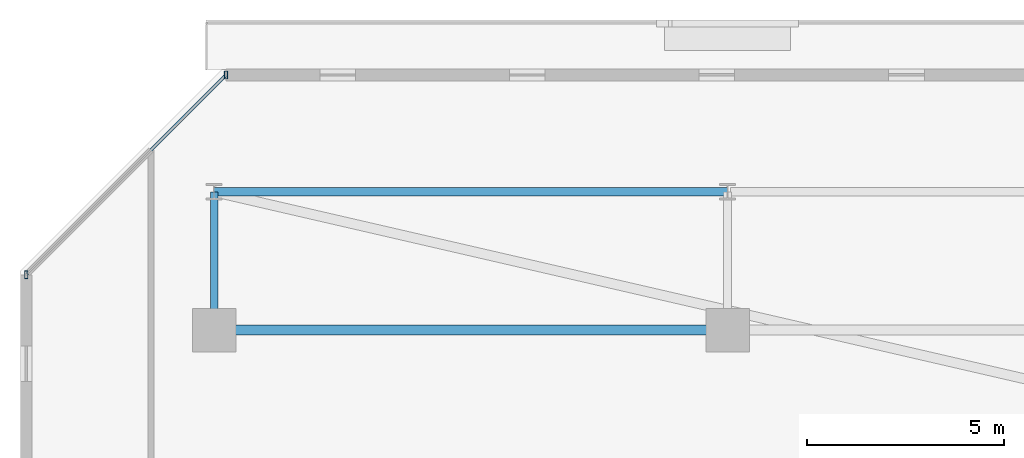
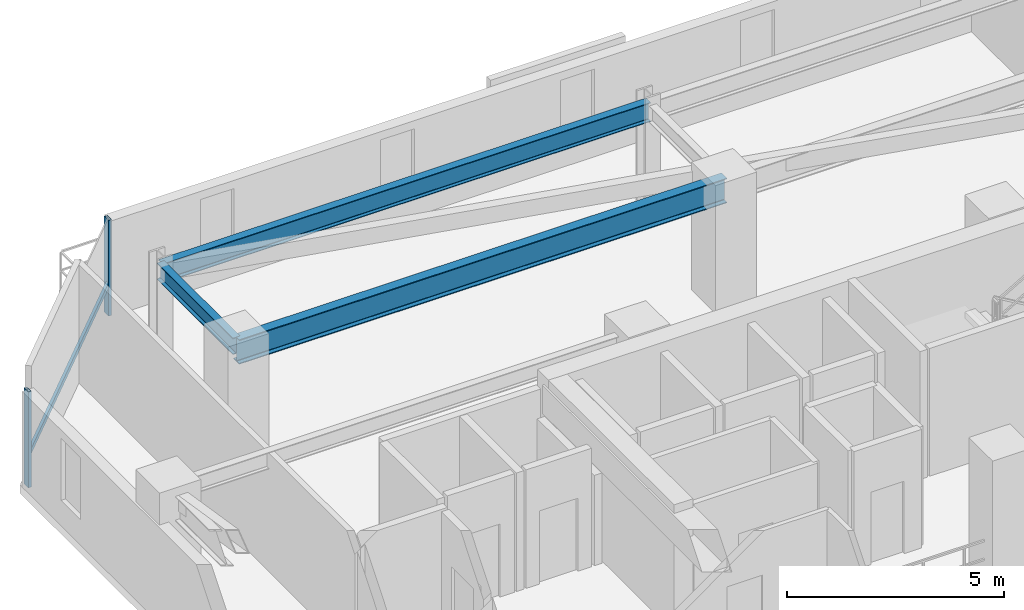
# One storey, part 8 of 33: 3 beams, 3 members, 1 element without a shape of its own.
"""IFC4 building model written with IfcOpenShell, lengths in metres."""

from ifc_helpers import new_model, si_unit, direction, frame, origin, origin_2d, place, context, subcontext, project, spatial, hollow_rectangle, i_section, extrude, material, material_profile, profile_set, type_object, element, aggregate, save


model = new_model("IFC4")

# Units and contexts
model_context = context("Model", 3, precision=1e-05, world=origin(), true_north=direction((0.0, 1.0)))
body_context = subcontext(model_context, "Body", "Model", "MODEL_VIEW")
ifc_project = project(units=[si_unit("LENGTHUNIT", "METRE"), si_unit("AREAUNIT", "SQUARE_METRE"), si_unit("VOLUMEUNIT", "CUBIC_METRE"), si_unit("PLANEANGLEUNIT", "RADIAN"), si_unit("MASSUNIT", "GRAM", prefix="KILO")], contexts=[model_context])

# Site, building, storey
site_placement = place(None, origin())
site = spatial("IfcSite", under=ifc_project, at=site_placement, CompositionType="ELEMENT")
building_placement = place(site_placement, origin())
building = spatial("IfcBuilding", under=site, at=building_placement, Name="Thornwick Lancets Civic Towers", CompositionType="ELEMENT")
storey_placement = place(building_placement, frame((0.0, 0.0, 189.300048828125)))
storey = spatial("IfcBuildingStorey", under=building, at=storey_placement, Name="L50", CompositionType="ELEMENT", Elevation=189.300048828125)

# Beams
ifc_material_1 = material(Name="Steel S355JR", Category="steel")
ifc_material_profile_1 = material_profile(ifc_material_1, i_section(OverallWidth=0.210693359375, OverallDepth=0.53955078125, WebThickness=0.01171875, FlangeThickness=0.018798828125, FilletRadius=0.0126953125, at=origin_2d()), Name="UKB 533x210x109")
ifc_profile_set_1 = profile_set([ifc_material_profile_1], Name="Steel S355JR")
beam_type_1 = type_object("IfcBeamType", Name="BM_EDGE_533_109", PredefinedType="SPANDREL", material=ifc_profile_set_1)
beam_1_placement = place(storey_placement, frame((12.5, 47.800048828125, 3.09033203125), z_axis=(1.0, 0.0, 0.0), x_axis=(0.0, 1.0, 0.0)))
element("IfcBeam", 1, at=beam_1_placement, inside=storey, type_object=beam_type_1, Name="BM-EDGE-L50-A-S2-1", PredefinedType="SPANDREL", context=body_context, shape_type="SweptSolid", body=[
    extrude(i_section(OverallWidth=0.210693359375, OverallDepth=0.53955078125, WebThickness=0.01171875, FlangeThickness=0.018798828125, FilletRadius=0.0126953125, at=origin_2d()), origin(), (0.0, 0.0, 1.0), 13.0),
])
ifc_material_profile_2 = material_profile(ifc_material_1, i_section(OverallWidth=0.255859375, OverallDepth=0.69287109375, WebThickness=0.014404296875, FlangeThickness=0.023681640625, FilletRadius=0.01513671875, at=origin_2d()), Name="UKB 686x254x170")
ifc_profile_set_2 = profile_set([ifc_material_profile_2], Name="Steel S355JR")
beam_type_2 = type_object("IfcBeamType", Name="BM_GIRD_686_170", PredefinedType="BEAM", material=ifc_profile_set_2)
beam_2_placement = place(storey_placement, frame((12.5, 44.300048828125, 3.013427734375), z_axis=(1.0, 0.0, 0.0), x_axis=(0.0, 1.0, 0.0)))
element("IfcBeam", 2, at=beam_2_placement, inside=storey, type_object=beam_type_2, Name="BM-SPINE-L50-A-6-7", PredefinedType="BEAM", context=body_context, shape_type="SweptSolid", body=[
    extrude(i_section(OverallWidth=0.255859375, OverallDepth=0.69287109375, WebThickness=0.014404296875, FlangeThickness=0.023681640625, FilletRadius=0.01513671875, at=origin_2d()), origin(), (0.0, 0.0, 1.0), 13.0),
])
ifc_material_profile_3 = material_profile(ifc_material_1, i_section(OverallWidth=0.19287109375, OverallDepth=0.46728515625, WebThickness=0.011474609375, FlangeThickness=0.01953125, FilletRadius=0.01025390625, at=origin_2d()), Name="UKB 457x191x98")
ifc_profile_set_3 = profile_set([ifc_material_profile_3], Name="Steel S355JR")
beam_type_3 = type_object("IfcBeamType", Name="BM_JOIST_457_98", PredefinedType="JOIST", material=ifc_profile_set_3)
beam_3_placement = place(storey_placement, frame((12.5, 44.300048828125, 3.12646484375), z_axis=(0.0, 1.0, 0.0), x_axis=(-1.0, 0.0, 0.0)))
element("IfcBeam", 3, at=beam_3_placement, inside=storey, type_object=beam_type_3, Name="BM-RAD-L50-A07", PredefinedType="JOIST", context=body_context, shape_type="SweptSolid", body=[
    extrude(i_section(OverallWidth=0.19287109375, OverallDepth=0.46728515625, WebThickness=0.011474609375, FlangeThickness=0.01953125, FilletRadius=0.01025390625, at=origin_2d()), origin(), (0.0, 0.0, 1.0), 3.5),
])

# Curtain wall, members
ifc_material_2 = material(Name="Mid-zone chamfered-corner unitised glass curtain wall", Category="glass")
curtain_wall_type = type_object("IfcCurtainWallType", Name="CW_SYS_04", PredefinedType="NOTDEFINED", material=ifc_material_2)
curtain_wall_placement = place(storey_placement, origin())
curtain_wall = element("IfcCurtainWall", 4, at=curtain_wall_placement, inside=storey, type_object=curtain_wall_type, Name="L50 Curtain Wall CW-L50-A-E5", PredefinedType="NOTDEFINED")
ifc_material_3 = material(Name="Thermally broken bronze aluminium S355", Category="steel")
ifc_material_profile_4 = material_profile(ifc_material_3, hollow_rectangle(XDim=0.080078125, YDim=0.199951171875, WallThickness=0.006103515625, at=origin_2d()), Name="RHS 200x80x6")
ifc_profile_set_4 = profile_set([ifc_material_profile_4], Name="Thermally broken bronze aluminium S355")
member_type_1 = type_object("IfcMemberType", Name="CW_MUL_200", PredefinedType="MULLION", material=ifc_profile_set_4)
member_1_placement = place(storey_placement, frame((12.800537109375, 50.75634765625, 0.0), z_axis=(0.0, 0.0, 1.0), x_axis=(1.0, 0.0, 0.0)))
member_1 = element("IfcMember", 5, at=member_1_placement, type_object=member_type_1, Name="CW-L50-A-E5 Mullion 0", PredefinedType="MULLION", context=body_context, shape_type="SweptSolid", body=[
    extrude(hollow_rectangle(XDim=0.080078125, YDim=0.199951171875, WallThickness=0.006103515625, at=origin_2d()), origin(), (0.0, 0.0, 1.0), 2.699951171875),
])
member_2_placement = place(storey_placement, frame((7.74365234375, 45.699462890625, 0.0), z_axis=(0.0, 0.0, 1.0), x_axis=(1.0, 0.0, 0.0)))
member_2 = element("IfcMember", 6, at=member_2_placement, type_object=member_type_1, Name="CW-L50-A-E5 Mullion 1", PredefinedType="MULLION", context=body_context, shape_type="SweptSolid", body=[
    extrude(hollow_rectangle(XDim=0.080078125, YDim=0.199951171875, WallThickness=0.006103515625, at=origin_2d()), origin(), (0.0, 0.0, 1.0), 2.699951171875),
])
ifc_material_profile_5 = material_profile(ifc_material_3, hollow_rectangle(XDim=0.074951171875, YDim=0.14990234375, WallThickness=0.0048828125, at=origin_2d()), Name="RHS 150x75x5")
ifc_profile_set_5 = profile_set([ifc_material_profile_5], Name="Thermally broken bronze aluminium S355")
member_type_2 = type_object("IfcMemberType", Name="CW_TRN_150", PredefinedType="USERDEFINED", material=ifc_profile_set_5)
member_3_placement = place(storey_placement, frame((12.78662109375, 50.7421875, 0.849853515625), z_axis=(-0.707106781187, -0.707106781187, 0.0), x_axis=(0.707106781187, -0.707106781187, 0.0)))
member_3 = element("IfcMember", 7, at=member_3_placement, type_object=member_type_2, Name="CW-L50-A-E5 Transom 0", ObjectType="TRANSOM", PredefinedType="USERDEFINED", context=body_context, shape_type="SweptSolid", body=[
    extrude(hollow_rectangle(XDim=0.074951171875, YDim=0.14990234375, WallThickness=0.0048828125, at=origin_2d()), origin(), (0.0, 0.0, 1.0), 7.11181640625),
])
aggregate(curtain_wall, [member_1, member_2, member_3])

save(model, "model.ifc")
